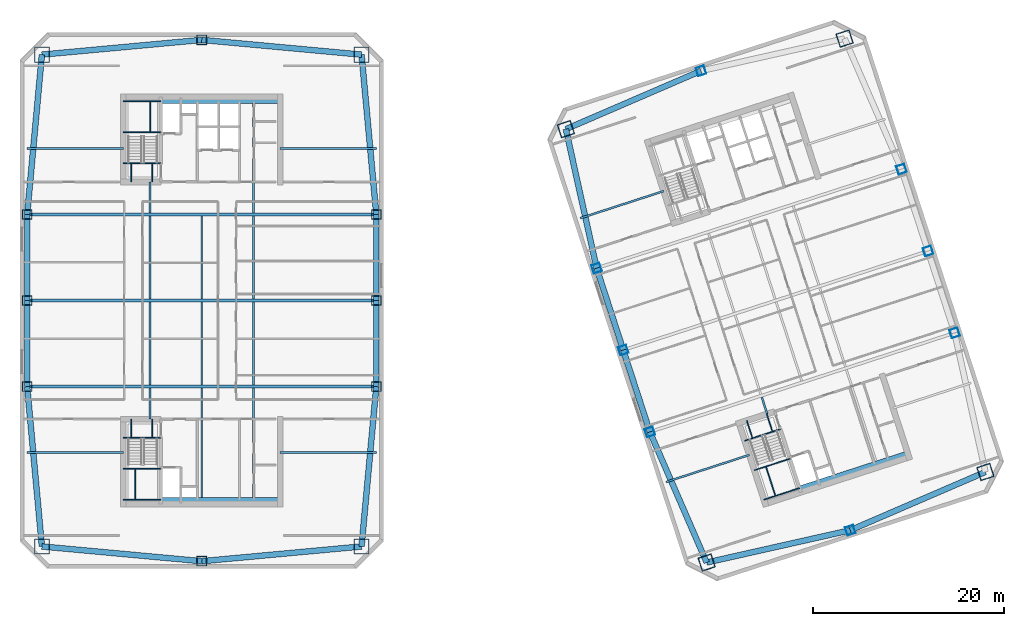
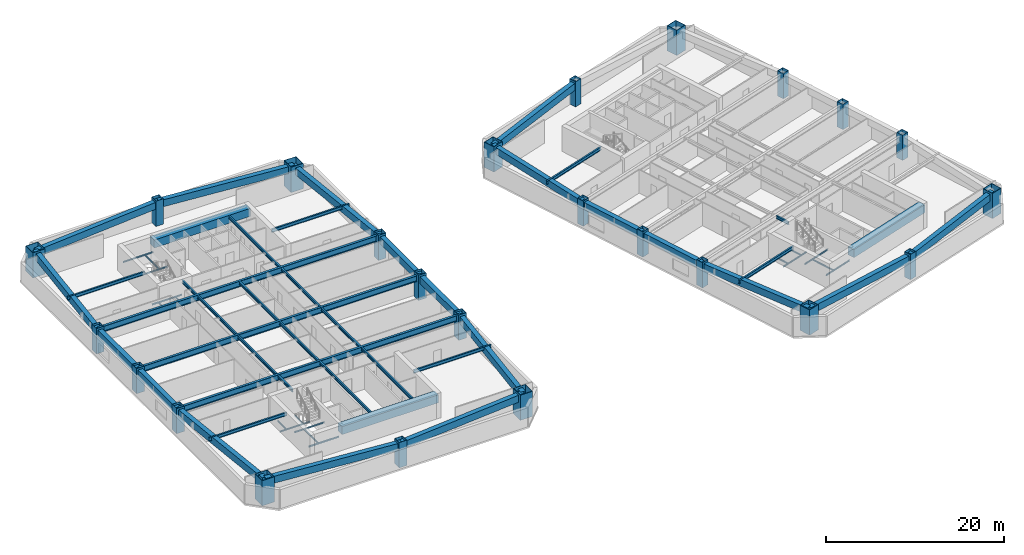
# One storey, part 1 of 11: 61 beams, 24 columns.
"""IFC4 building model written with IfcOpenShell, lengths in metres."""

from ifc_helpers import new_model, si_unit, direction, frame, origin, origin_2d, place, context, subcontext, project, spatial, rectangle, hollow_rectangle, i_section, extrude, material, material_profile, profile_set, type_object, element, save


model = new_model("IFC4")

# Units and contexts
model_context = context("Model", 3, precision=1e-05, world=origin(), true_north=direction((0.0, 1.0)))
body_context = subcontext(model_context, "Body", "Model", "MODEL_VIEW")
ifc_project = project(units=[si_unit("LENGTHUNIT", "METRE"), si_unit("AREAUNIT", "SQUARE_METRE"), si_unit("VOLUMEUNIT", "CUBIC_METRE"), si_unit("PLANEANGLEUNIT", "RADIAN"), si_unit("MASSUNIT", "GRAM", prefix="KILO")], contexts=[model_context])

# Site, building, storey
site_placement = place(None, origin())
site = spatial("IfcSite", under=ifc_project, at=site_placement, CompositionType="ELEMENT")
building_placement = place(site_placement, origin())
building = spatial("IfcBuilding", under=site, at=building_placement, Name="Qiaolan Cultural Towers", CompositionType="ELEMENT")
storey_placement = place(building_placement, frame((0.0, 0.0, 117.300048828125)))
storey = spatial("IfcBuildingStorey", under=building, at=storey_placement, Name="L30", CompositionType="ELEMENT", Elevation=117.300048828125)

# Columns
ifc_material_1 = material(Name="Steel Q355B", Category="steel")
ifc_material_profile_1 = material_profile(ifc_material_1, hollow_rectangle(XDim=1.0, YDim=1.0, WallThickness=0.035888671875, at=origin_2d()), Name="BOX1000x1000x36")
ifc_profile_set_1 = profile_set([ifc_material_profile_1], Name="Steel Q355B")
column_type_1 = type_object("IfcColumnType", Name="COL-BOX1000x1000x36", PredefinedType="COLUMN", material=ifc_profile_set_1)
for number, where, z_axis, x_axis, name in (
    (1, (11.75, 25.0, 0.0), (0.0, 0.0, 1.0), (1.0, 0.0, 0.0), "L30 T1 Perimeter Column PC-W1"),
    (2, (11.75, 34.0, 0.0), (0.0, 0.0, 1.0), (1.0, 0.0, 0.0), "L30 T1 Perimeter Column PC-W2"),
    (3, (11.75, 43.0, 0.0), (0.0, 0.0, 1.0), (1.0, 0.0, 0.0), "L30 T1 Perimeter Column PC-W3"),
    (4, (48.25, 25.0, 0.0), (0.0, 0.0, 1.0), (1.0, 0.0, 0.0), "L30 T1 Perimeter Column PC-E1"),
    (5, (48.25, 34.0, 0.0), (0.0, 0.0, 1.0), (1.0, 0.0, 0.0), "L30 T1 Perimeter Column PC-E2"),
    (6, (48.25, 43.0, 0.0), (0.0, 0.0, 1.0), (1.0, 0.0, 0.0), "L30 T1 Perimeter Column PC-E3"),
    (7, (30.0, 6.75, 0.0), (0.0, 0.0, 1.0), (1.0, 0.0, 0.0), "L30 T1 Perimeter Column PC-S0"),
    (8, (30.0, 61.25, 0.0), (0.0, 0.0, 1.0), (1.0, 0.0, 0.0), "L30 T1 Perimeter Column PC-N0"),
):
    element("IfcColumn", number, at=place(storey_placement, frame(where, z_axis=z_axis, x_axis=x_axis)), inside=storey, type_object=column_type_1, Name=name, PredefinedType="COLUMN", context=body_context, shape_type="SweptSolid", body=[
        extrude(hollow_rectangle(XDim=1.0, YDim=1.0, WallThickness=0.035888671875, at=origin_2d()), origin(), (0.0, 0.0, 1.0), 3.450927734375),
    ])
ifc_material_2 = material(Name="Steel Q420GJB", Category="steel")
ifc_material_profile_2 = material_profile(ifc_material_2, hollow_rectangle(XDim=1.449951171875, YDim=1.449951171875, WallThickness=0.050048828125, at=origin_2d()), Name="BOX1450x1450x50")
ifc_profile_set_2 = profile_set([ifc_material_profile_2], Name="Steel Q420GJB")
column_type_2 = type_object("IfcColumnType", Name="COL-BOX1450x1450x50", PredefinedType="COLUMN", material=ifc_profile_set_2)
for number, where, z_axis, x_axis, name in (
    (9, (82.79052734375, 6.611572265625, 0.0), (0.0, 0.0, 1.0), (0.951056516295, 0.309016994375, 0.0), "L30 T2 Perimeter Column MC-SW"),
    (10, (111.930908203125, 16.080078125, 0.0), (0.0, 0.0, 1.0), (0.951056516295, 0.309016994375, 0.0), "L30 T2 Perimeter Column MC-SE"),
    (11, (97.20947265625, 61.388427734375, 0.0), (0.0, 0.0, 1.0), (0.951056516295, 0.309016994375, 0.0), "L30 T2 Perimeter Column MC-NE"),
    (12, (68.069091796875, 51.919921875, 0.0), (0.0, 0.0, 1.0), (0.951056516295, 0.309016994375, 0.0), "L30 T2 Perimeter Column MC-NW"),
):
    element("IfcColumn", number, at=place(storey_placement, frame(where, z_axis=z_axis, x_axis=x_axis)), inside=storey, type_object=column_type_2, Name=name, PredefinedType="COLUMN", context=body_context, shape_type="SweptSolid", body=[
        extrude(hollow_rectangle(XDim=1.449951171875, YDim=1.449951171875, WallThickness=0.050048828125, at=origin_2d()), origin(), (0.0, 0.0, 1.0), 3.450927734375),
    ])
ifc_material_3 = material(Name="Steel Q420GJB", Category="steel")
ifc_material_profile_3 = material_profile(ifc_material_3, hollow_rectangle(XDim=1.60009765625, YDim=1.60009765625, WallThickness=0.054931640625, at=origin_2d()), Name="BOX1600x1600x55")
ifc_profile_set_3 = profile_set([ifc_material_profile_3], Name="Steel Q420GJB")
column_type_3 = type_object("IfcColumnType", Name="COL-BOX1600x1600x55", PredefinedType="COLUMN", material=ifc_profile_set_3)
for number, where, z_axis, x_axis, name in (
    (13, (13.2900390625, 8.2900390625, 0.0), (0.0, 0.0, 1.0), (1.0, 0.0, 0.0), "L30 T1 Perimeter Column MC-SW"),
    (14, (46.7099609375, 8.2900390625, 0.0), (0.0, 0.0, 1.0), (1.0, 0.0, 0.0), "L30 T1 Perimeter Column MC-SE"),
    (15, (46.7099609375, 59.7099609375, 0.0), (0.0, 0.0, 1.0), (1.0, 0.0, 0.0), "L30 T1 Perimeter Column MC-NE"),
    (16, (13.2900390625, 59.7099609375, 0.0), (0.0, 0.0, 1.0), (1.0, 0.0, 0.0), "L30 T1 Perimeter Column MC-NW"),
):
    element("IfcColumn", number, at=place(storey_placement, frame(where, z_axis=z_axis, x_axis=x_axis)), inside=storey, type_object=column_type_3, Name=name, PredefinedType="COLUMN", context=body_context, shape_type="SweptSolid", body=[
        extrude(hollow_rectangle(XDim=1.60009765625, YDim=1.60009765625, WallThickness=0.054931640625, at=origin_2d()), origin(), (0.0, 0.0, 1.0), 3.450927734375),
    ])
ifc_material_4 = material(Name="Steel Q355B", Category="steel")
ifc_material_profile_4 = material_profile(ifc_material_4, hollow_rectangle(XDim=0.89990234375, YDim=0.89990234375, WallThickness=0.031982421875, at=origin_2d()), Name="BOX900x900x32")
ifc_profile_set_4 = profile_set([ifc_material_profile_4], Name="Steel Q355B")
column_type_4 = type_object("IfcColumnType", Name="COL-BOX900x900x32", PredefinedType="COLUMN", material=ifc_profile_set_4)
for number, where, z_axis, x_axis, name in (
    (17, (76.85107421875, 20.264404296875, 0.0), (0.0, 0.0, 1.0), (0.951056516295, 0.309016994375, 0.0), "L30 T2 Perimeter Column PC-W1"),
    (18, (74.06982421875, 28.823974609375, 0.0), (0.0, 0.0, 1.0), (0.951056516295, 0.309016994375, 0.0), "L30 T2 Perimeter Column PC-W2"),
    (19, (71.28857421875, 37.383544921875, 0.0), (0.0, 0.0, 1.0), (0.951056516295, 0.309016994375, 0.0), "L30 T2 Perimeter Column PC-W3"),
    (20, (108.71142578125, 30.616455078125, 0.0), (0.0, 0.0, 1.0), (0.951056516295, 0.309016994375, 0.0), "L30 T2 Perimeter Column PC-E1"),
    (21, (105.93017578125, 39.176025390625, 0.0), (0.0, 0.0, 1.0), (0.951056516295, 0.309016994375, 0.0), "L30 T2 Perimeter Column PC-E2"),
    (22, (103.14892578125, 47.735595703125, 0.0), (0.0, 0.0, 1.0), (0.951056516295, 0.309016994375, 0.0), "L30 T2 Perimeter Column PC-E3"),
    (23, (97.802734375, 9.98583984375, 0.0), (0.0, 0.0, 1.0), (0.951056516295, 0.309016994375, 0.0), "L30 T2 Perimeter Column PC-S0"),
    (24, (82.197265625, 58.01416015625, 0.0), (0.0, 0.0, 1.0), (0.951056516295, 0.309016994375, 0.0), "L30 T2 Perimeter Column PC-N0"),
):
    element("IfcColumn", number, at=place(storey_placement, frame(where, z_axis=z_axis, x_axis=x_axis)), inside=storey, type_object=column_type_4, Name=name, PredefinedType="COLUMN", context=body_context, shape_type="SweptSolid", body=[
        extrude(hollow_rectangle(XDim=0.89990234375, YDim=0.89990234375, WallThickness=0.031982421875, at=origin_2d()), origin(), (0.0, 0.0, 1.0), 3.450927734375),
    ])

# Beams
ifc_material_5 = material(Name="Steel Q355B", Category="steel")
ifc_material_profile_5 = material_profile(ifc_material_5, i_section(OverallWidth=0.300048828125, OverallDepth=0.800048828125, WebThickness=0.013916015625, FlangeThickness=0.02587890625, at=origin_2d()), Name="HN800x300x14x26")
ifc_profile_set_5 = profile_set([ifc_material_profile_5], Name="Steel Q355B")
beam_type_1 = type_object("IfcBeamType", Name="BM-HN800x300x14x26", PredefinedType="BEAM", material=ifc_profile_set_5)
for number, where, z_axis, x_axis, name in (
    (25, (11.75, 25.0, 2.7900390625), (1.0, 0.0, 0.0), (0.0, 1.0, 0.0), "L30 T1 Primary Transverse Girder V1"),
    (26, (11.75, 34.0, 2.7900390625), (1.0, 0.0, 0.0), (0.0, 1.0, 0.0), "L30 T1 Primary Transverse Girder V2"),
    (27, (11.75, 43.0, 2.7900390625), (1.0, 0.0, 0.0), (0.0, 1.0, 0.0), "L30 T1 Primary Transverse Girder V3"),
):
    element("IfcBeam", number, at=place(storey_placement, frame(where, z_axis=z_axis, x_axis=x_axis)), inside=storey, type_object=beam_type_1, Name=name, PredefinedType="BEAM", context=body_context, shape_type="SweptSolid", body=[
        extrude(i_section(OverallWidth=0.300048828125, OverallDepth=0.800048828125, WebThickness=0.013916015625, FlangeThickness=0.02587890625, at=origin_2d()), origin(), (0.0, 0.0, 1.0), 36.5),
    ])
ifc_material_6 = material(Name="Steel Q355B", Category="steel")
ifc_material_profile_6 = material_profile(ifc_material_6, i_section(OverallWidth=0.199951171875, OverallDepth=0.39990234375, WebThickness=0.008056640625, FlangeThickness=0.012939453125, at=origin_2d()), Name="HN400x200x8x13")
ifc_profile_set_6 = profile_set([ifc_material_profile_6], Name="Steel Q355B")
beam_type_2 = type_object("IfcBeamType", Name="BM-JST-HN400x200x8x13", PredefinedType="JOIST", material=ifc_profile_set_6)
beam_1_placement = place(storey_placement, frame((24.60009765625, 21.60009765625, 2.989990234375), z_axis=(0.0, 1.0, 0.0), x_axis=(-1.0, 0.0, 0.0)))
element("IfcBeam", 28, at=beam_1_placement, inside=storey, type_object=beam_type_2, Name="L30 T1 Secondary Floor Joist U1-1", PredefinedType="JOIST", context=body_context, shape_type="SweptSolid", body=[
    extrude(i_section(OverallWidth=0.199951171875, OverallDepth=0.39990234375, WebThickness=0.008056640625, FlangeThickness=0.012939453125, at=origin_2d()), origin(), (0.0, 0.0, 1.0), 3.25),
])
for number, where, z_axis, x_axis, name in (
    (29, (24.60009765625, 25.14990234375, 2.989990234375), (0.0, 1.0, 0.0), (-1.0, 0.0, 0.0), "L30 T1 Secondary Floor Joist U1-2"),
    (30, (24.60009765625, 34.14990234375, 2.989990234375), (0.0, 1.0, 0.0), (-1.0, 0.0, 0.0), "L30 T1 Secondary Floor Joist U1-3"),
):
    element("IfcBeam", number, at=place(storey_placement, frame(where, z_axis=z_axis, x_axis=x_axis)), inside=storey, type_object=beam_type_2, Name=name, PredefinedType="JOIST", context=body_context, shape_type="SweptSolid", body=[
        extrude(i_section(OverallWidth=0.199951171875, OverallDepth=0.39990234375, WebThickness=0.008056640625, FlangeThickness=0.012939453125, at=origin_2d()), origin(), (0.0, 0.0, 1.0), 8.7001953125),
    ])
beam_2_placement = place(storey_placement, frame((24.60009765625, 43.14990234375, 2.989990234375), z_axis=(0.0, 1.0, 0.0), x_axis=(-1.0, 0.0, 0.0)))
element("IfcBeam", 31, at=beam_2_placement, inside=storey, type_object=beam_type_2, Name="L30 T1 Secondary Floor Joist U1-4", PredefinedType="JOIST", context=body_context, shape_type="SweptSolid", body=[
    extrude(i_section(OverallWidth=0.199951171875, OverallDepth=0.39990234375, WebThickness=0.008056640625, FlangeThickness=0.012939453125, at=origin_2d()), origin(), (0.0, 0.0, 1.0), 3.25),
])
beam_3_placement = place(storey_placement, frame((30.0, 13.39990234375, 2.989990234375), z_axis=(0.0, 1.0, 0.0), x_axis=(-1.0, 0.0, 0.0)))
element("IfcBeam", 32, at=beam_3_placement, inside=storey, type_object=beam_type_2, Name="L30 T1 Secondary Floor Joist U2-1", PredefinedType="JOIST", context=body_context, shape_type="SweptSolid", body=[
    extrude(i_section(OverallWidth=0.199951171875, OverallDepth=0.39990234375, WebThickness=0.008056640625, FlangeThickness=0.012939453125, at=origin_2d()), origin(), (0.0, 0.0, 1.0), 11.4501953125),
])
for number, where, z_axis, x_axis, name in (
    (33, (30.0, 25.14990234375, 2.989990234375), (0.0, 1.0, 0.0), (-1.0, 0.0, 0.0), "L30 T1 Secondary Floor Joist U2-2"),
    (34, (30.0, 34.14990234375, 2.989990234375), (0.0, 1.0, 0.0), (-1.0, 0.0, 0.0), "L30 T1 Secondary Floor Joist U2-3"),
):
    element("IfcBeam", number, at=place(storey_placement, frame(where, z_axis=z_axis, x_axis=x_axis)), inside=storey, type_object=beam_type_2, Name=name, PredefinedType="JOIST", context=body_context, shape_type="SweptSolid", body=[
        extrude(i_section(OverallWidth=0.199951171875, OverallDepth=0.39990234375, WebThickness=0.008056640625, FlangeThickness=0.012939453125, at=origin_2d()), origin(), (0.0, 0.0, 1.0), 8.7001953125),
    ])
beam_4_placement = place(storey_placement, frame((35.39990234375, 13.39990234375, 2.989990234375), z_axis=(0.0, 1.0, 0.0), x_axis=(-1.0, 0.0, 0.0)))
element("IfcBeam", 35, at=beam_4_placement, inside=storey, type_object=beam_type_2, Name="L30 T1 Secondary Floor Joist U3-1", PredefinedType="JOIST", context=body_context, shape_type="SweptSolid", body=[
    extrude(i_section(OverallWidth=0.199951171875, OverallDepth=0.39990234375, WebThickness=0.008056640625, FlangeThickness=0.012939453125, at=origin_2d()), origin(), (0.0, 0.0, 1.0), 11.4501953125),
])
for number, where, z_axis, x_axis, name in (
    (36, (35.39990234375, 25.14990234375, 2.989990234375), (0.0, 1.0, 0.0), (-1.0, 0.0, 0.0), "L30 T1 Secondary Floor Joist U3-2"),
    (37, (35.39990234375, 34.14990234375, 2.989990234375), (0.0, 1.0, 0.0), (-1.0, 0.0, 0.0), "L30 T1 Secondary Floor Joist U3-3"),
):
    element("IfcBeam", number, at=place(storey_placement, frame(where, z_axis=z_axis, x_axis=x_axis)), inside=storey, type_object=beam_type_2, Name=name, PredefinedType="JOIST", context=body_context, shape_type="SweptSolid", body=[
        extrude(i_section(OverallWidth=0.199951171875, OverallDepth=0.39990234375, WebThickness=0.008056640625, FlangeThickness=0.012939453125, at=origin_2d()), origin(), (0.0, 0.0, 1.0), 8.7001953125),
    ])
beam_5_placement = place(storey_placement, frame((35.39990234375, 43.14990234375, 2.989990234375), z_axis=(0.0, 1.0, 0.0), x_axis=(-1.0, 0.0, 0.0)))
element("IfcBeam", 38, at=beam_5_placement, inside=storey, type_object=beam_type_2, Name="L30 T1 Secondary Floor Joist U3-4", PredefinedType="JOIST", context=body_context, shape_type="SweptSolid", body=[
    extrude(i_section(OverallWidth=0.199951171875, OverallDepth=0.39990234375, WebThickness=0.008056640625, FlangeThickness=0.012939453125, at=origin_2d()), origin(), (0.0, 0.0, 1.0), 11.4501953125),
])
beam_6_placement = place(storey_placement, frame((89.119384765625, 22.147705078125, 2.989990234375), z_axis=(-0.308933885266, 0.951083516067, 0.0), x_axis=(-0.951083516067, -0.308933885266, 0.0)))
element("IfcBeam", 39, at=beam_6_placement, inside=storey, type_object=beam_type_2, Name="L30 T2 Secondary Floor Joist U1-1", PredefinedType="JOIST", context=body_context, shape_type="SweptSolid", body=[
    extrude(i_section(OverallWidth=0.199951171875, OverallDepth=0.39990234375, WebThickness=0.008056640625, FlangeThickness=0.012939453125, at=origin_2d()), origin(), (0.0, 0.0, 1.0), 1.85009765625),
])
ifc_material_7 = material(Name="Steel Q355B", Category="steel")
ifc_material_profile_7 = material_profile(ifc_material_7, i_section(OverallWidth=0.199951171875, OverallDepth=0.449951171875, WebThickness=0.009033203125, FlangeThickness=0.013916015625, at=origin_2d()), Name="HN450x200x9x14")
ifc_profile_set_7 = profile_set([ifc_material_profile_7], Name="Steel Q355B")
beam_type_3 = type_object("IfcBeamType", Name="BM-LNT-HN450x200x9x14", PredefinedType="LINTEL", material=ifc_profile_set_7)
for number, where, z_axis, x_axis, name in (
    (40, (21.800048828125, 18.10009765625, 2.96484375), (-1.0, 0.0, 0.0), (0.0, -1.0, 0.0), "L30 T1 Core Flank Tie Lintel WS"),
    (41, (21.800048828125, 49.89990234375, 2.96484375), (-1.0, 0.0, 0.0), (0.0, -1.0, 0.0), "L30 T1 Core Flank Tie Lintel WN"),
    (42, (38.199951171875, 18.10009765625, 2.96484375), (1.0, 0.0, 0.0), (0.0, 1.0, 0.0), "L30 T1 Core Flank Tie Lintel ES"),
    (43, (38.199951171875, 49.89990234375, 2.96484375), (1.0, 0.0, 0.0), (0.0, 1.0, 0.0), "L30 T1 Core Flank Tie Lintel EN"),
):
    element("IfcBeam", number, at=place(storey_placement, frame(where, z_axis=z_axis, x_axis=x_axis)), inside=storey, type_object=beam_type_3, Name=name, PredefinedType="LINTEL", context=body_context, shape_type="SweptSolid", body=[
        extrude(i_section(OverallWidth=0.199951171875, OverallDepth=0.449951171875, WebThickness=0.009033203125, FlangeThickness=0.013916015625, at=origin_2d()), origin(), (0.0, 0.0, 1.0), 10.050048828125),
    ])
for number, where, z_axis, x_axis, name in (
    (44, (87.252685546875, 17.861083984375, 2.96484375), (-0.951059948176, -0.309006431933, 0.0), (0.309006431933, -0.951059948176, 0.0), "L30 T2 Core Flank Tie Lintel WS"),
    (45, (78.291259765625, 45.44189453125, 2.96484375), (-0.951052106475, -0.309030566076, 0.0), (0.309030566076, -0.951052106475, 0.0), "L30 T2 Core Flank Tie Lintel WN"),
):
    element("IfcBeam", number, at=place(storey_placement, frame(where, z_axis=z_axis, x_axis=x_axis)), inside=storey, type_object=beam_type_3, Name=name, PredefinedType="LINTEL", context=body_context, shape_type="SweptSolid", body=[
        extrude(i_section(OverallWidth=0.199951171875, OverallDepth=0.449951171875, WebThickness=0.009033203125, FlangeThickness=0.013916015625, at=origin_2d()), origin(), (0.0, 0.0, 1.0), 9.14990234375),
    ])
ifc_material_8 = material(Name="Concrete C50", Category="concrete")
ifc_material_profile_8 = material_profile(ifc_material_8, rectangle(XDim=0.89990234375, YDim=1.10009765625, at=origin_2d()), Name="RC900x1100")
ifc_profile_set_8 = profile_set([ifc_material_profile_8], Name="Concrete C50")
beam_type_4 = type_object("IfcBeamType", Name="BM-RC900x1100", PredefinedType="BEAM", material=ifc_profile_set_8)
for number, where, z_axis, x_axis, name in (
    (46, (25.719970703125, 12.949951171875, 2.639892578125), (1.0, 0.0, 0.0), (0.0, 1.0, 0.0), "L30 T1 Core Header Girder S"),
    (47, (25.719970703125, 55.050048828125, 2.639892578125), (1.0, 0.0, 0.0), (0.0, 1.0, 0.0), "L30 T1 Core Header Girder N"),
):
    element("IfcBeam", number, at=place(storey_placement, frame(where, z_axis=z_axis, x_axis=x_axis)), inside=storey, type_object=beam_type_4, Name=name, PredefinedType="BEAM", context=body_context, shape_type="SweptSolid", body=[
        extrude(rectangle(XDim=0.89990234375, YDim=1.10009765625, at=origin_2d()), origin(), (0.0, 0.0, 1.0), 12.47998046875),
    ])
beam_7_placement = place(storey_placement, frame((92.572265625, 14.174560546875, 2.639892578125), z_axis=(0.951056266386, 0.309017763514, 0.0), x_axis=(-0.309017763514, 0.951056266386, 0.0)))
element("IfcBeam", 48, at=beam_7_placement, inside=storey, type_object=beam_type_4, Name="L30 T2 Core Header Girder S", PredefinedType="BEAM", context=body_context, shape_type="SweptSolid", body=[
    extrude(rectangle(XDim=0.89990234375, YDim=1.10009765625, at=origin_2d()), origin(), (0.0, 0.0, 1.0), 11.880126953125),
])
ifc_material_9 = material(Name="Concrete C50", Category="concrete")
ifc_material_profile_9 = material_profile(ifc_material_9, rectangle(XDim=0.60009765625, YDim=0.949951171875, at=origin_2d()), Name="RC600x950")
ifc_profile_set_9 = profile_set([ifc_material_profile_9], Name="Concrete C50")
beam_type_5 = type_object("IfcBeamType", Name="BM-SPD-RC600x950", PredefinedType="SPANDREL", material=ifc_profile_set_9)
for number, where, z_axis, x_axis, name in (
    (49, (13.2900390625, 8.2900390625, 2.71484375), (0.995779862064, -0.09177399582, 0.0), (0.09177399582, 0.995779862064, 0.0), "L30 T1 Perimeter Spandrel Beam 1"),
    (50, (30.0, 6.75, 2.71484375), (0.995779862064, 0.09177399582, 0.0), (-0.09177399582, 0.995779862064, 0.0), "L30 T1 Perimeter Spandrel Beam 2"),
    (51, (46.7099609375, 8.2900390625, 2.71484375), (0.09177399582, 0.995779862064, 0.0), (-0.995779862064, 0.09177399582, 0.0), "L30 T1 Perimeter Spandrel Beam 3"),
):
    element("IfcBeam", number, at=place(storey_placement, frame(where, z_axis=z_axis, x_axis=x_axis)), inside=storey, type_object=beam_type_5, Name=name, PredefinedType="SPANDREL", context=body_context, shape_type="SweptSolid", body=[
        extrude(rectangle(XDim=0.60009765625, YDim=0.949951171875, at=origin_2d()), origin(), (0.0, 0.0, 1.0), 16.78076171875),
    ])
for number, where, z_axis, x_axis, name in (
    (52, (48.25, 25.0, 2.71484375), (0.0, 1.0, 0.0), (-1.0, 0.0, 0.0), "L30 T1 Perimeter Spandrel Beam 4"),
    (53, (48.25, 34.0, 2.71484375), (0.0, 1.0, 0.0), (-1.0, 0.0, 0.0), "L30 T1 Perimeter Spandrel Beam 5"),
):
    element("IfcBeam", number, at=place(storey_placement, frame(where, z_axis=z_axis, x_axis=x_axis)), inside=storey, type_object=beam_type_5, Name=name, PredefinedType="SPANDREL", context=body_context, shape_type="SweptSolid", body=[
        extrude(rectangle(XDim=0.60009765625, YDim=0.949951171875, at=origin_2d()), origin(), (0.0, 0.0, 1.0), 9.0),
    ])
for number, where, z_axis, x_axis, name in (
    (54, (48.25, 43.0, 2.71484375), (-0.09177399582, 0.995779862064, 0.0), (-0.995779862064, -0.09177399582, 0.0), "L30 T1 Perimeter Spandrel Beam 6"),
    (55, (46.7099609375, 59.7099609375, 2.71484375), (-0.995779862064, 0.09177399582, 0.0), (-0.09177399582, -0.995779862064, 0.0), "L30 T1 Perimeter Spandrel Beam 7"),
    (56, (30.0, 61.25, 2.71484375), (-0.995779862064, -0.09177399582, 0.0), (0.09177399582, -0.995779862064, 0.0), "L30 T1 Perimeter Spandrel Beam 8"),
    (57, (13.2900390625, 59.7099609375, 2.71484375), (-0.09177399582, -0.995779862064, 0.0), (0.995779862064, -0.09177399582, 0.0), "L30 T1 Perimeter Spandrel Beam 9"),
):
    element("IfcBeam", number, at=place(storey_placement, frame(where, z_axis=z_axis, x_axis=x_axis)), inside=storey, type_object=beam_type_5, Name=name, PredefinedType="SPANDREL", context=body_context, shape_type="SweptSolid", body=[
        extrude(rectangle(XDim=0.60009765625, YDim=0.949951171875, at=origin_2d()), origin(), (0.0, 0.0, 1.0), 16.78076171875),
    ])
for number, where, z_axis, x_axis, name in (
    (58, (11.75, 43.0, 2.71484375), (0.0, -1.0, 0.0), (1.0, 0.0, 0.0), "L30 T1 Perimeter Spandrel Beam 10"),
    (59, (11.75, 34.0, 2.71484375), (0.0, -1.0, 0.0), (1.0, 0.0, 0.0), "L30 T1 Perimeter Spandrel Beam 11"),
):
    element("IfcBeam", number, at=place(storey_placement, frame(where, z_axis=z_axis, x_axis=x_axis)), inside=storey, type_object=beam_type_5, Name=name, PredefinedType="SPANDREL", context=body_context, shape_type="SweptSolid", body=[
        extrude(rectangle(XDim=0.60009765625, YDim=0.949951171875, at=origin_2d()), origin(), (0.0, 0.0, 1.0), 9.0),
    ])
beam_8_placement = place(storey_placement, frame((11.75, 25.0, 2.71484375), z_axis=(0.09177399582, -0.995779862064, 0.0), x_axis=(0.995779862064, 0.09177399582, 0.0)))
element("IfcBeam", 60, at=beam_8_placement, inside=storey, type_object=beam_type_5, Name="L30 T1 Perimeter Spandrel Beam 12", PredefinedType="SPANDREL", context=body_context, shape_type="SweptSolid", body=[
    extrude(rectangle(XDim=0.60009765625, YDim=0.949951171875, at=origin_2d()), origin(), (0.0, 0.0, 1.0), 16.78076171875),
])
beam_9_placement = place(storey_placement, frame((82.79052734375, 6.611572265625, 2.71484375), z_axis=(0.975658154374, 0.219296980836, 0.0), x_axis=(-0.219296980836, 0.975658154374, 0.0)))
element("IfcBeam", 61, at=beam_9_placement, inside=storey, type_object=beam_type_5, Name="L30 T2 Perimeter Spandrel Beam 1", PredefinedType="SPANDREL", context=body_context, shape_type="SweptSolid", body=[
    extrude(rectangle(XDim=0.60009765625, YDim=0.949951171875, at=origin_2d()), origin(), (0.0, 0.0, 1.0), 15.38671875),
])
for number, where, z_axis, x_axis, name in (
    (62, (97.802734375, 9.98583984375, 2.71484375), (0.918217549337, 0.396076422032, 0.0), (-0.396076422032, 0.918217549337, 0.0), "L30 T2 Perimeter Spandrel Beam 2"),
    (63, (82.197265625, 58.01416015625, 2.71484375), (-0.918217549337, -0.396076422032, 0.0), (0.396076422032, -0.918217549337, 0.0), "L30 T2 Perimeter Spandrel Beam 8"),
):
    element("IfcBeam", number, at=place(storey_placement, frame(where, z_axis=z_axis, x_axis=x_axis)), inside=storey, type_object=beam_type_5, Name=name, PredefinedType="SPANDREL", context=body_context, shape_type="SweptSolid", body=[
        extrude(rectangle(XDim=0.60009765625, YDim=0.949951171875, at=origin_2d()), origin(), (0.0, 0.0, 1.0), 15.386474609375),
    ])
beam_10_placement = place(storey_placement, frame((68.069091796875, 51.919921875, 2.71484375), z_axis=(0.216237644833, -0.976340760676, 0.0), x_axis=(0.976340760676, 0.216237644833, 0.0)))
element("IfcBeam", 64, at=beam_10_placement, inside=storey, type_object=beam_type_5, Name="L30 T2 Perimeter Spandrel Beam 9", PredefinedType="SPANDREL", context=body_context, shape_type="SweptSolid", body=[
    extrude(rectangle(XDim=0.60009765625, YDim=0.949951171875, at=origin_2d()), origin(), (0.0, 0.0, 1.0), 14.888671875),
])
for number, where, z_axis, x_axis, name in (
    (65, (71.28857421875, 37.383544921875, 2.71484375), (0.309024734286, -0.951054001411, 0.0), (0.951054001411, 0.309024734286, 0.0), "L30 T2 Perimeter Spandrel Beam 10"),
    (66, (74.06982421875, 28.823974609375, 2.71484375), (0.309024734286, -0.951054001411, 0.0), (0.951054001411, 0.309024734286, 0.0), "L30 T2 Perimeter Spandrel Beam 11"),
):
    element("IfcBeam", number, at=place(storey_placement, frame(where, z_axis=z_axis, x_axis=x_axis)), inside=storey, type_object=beam_type_5, Name=name, PredefinedType="SPANDREL", context=body_context, shape_type="SweptSolid", body=[
        extrude(rectangle(XDim=0.60009765625, YDim=0.949951171875, at=origin_2d()), origin(), (0.0, 0.0, 1.0), 9.0),
    ])
beam_11_placement = place(storey_placement, frame((76.85107421875, 20.264404296875, 2.71484375), z_axis=(0.398920370799, -0.916985571185, 0.0), x_axis=(0.916985571185, 0.398920370799, 0.0)))
element("IfcBeam", 67, at=beam_11_placement, inside=storey, type_object=beam_type_5, Name="L30 T2 Perimeter Spandrel Beam 12", PredefinedType="SPANDREL", context=body_context, shape_type="SweptSolid", body=[
    extrude(rectangle(XDim=0.60009765625, YDim=0.949951171875, at=origin_2d()), origin(), (0.0, 0.0, 1.0), 14.888916015625),
])
ifc_material_10 = material(Name="Steel Q355B", Category="steel")
ifc_material_profile_10 = material_profile(ifc_material_10, i_section(OverallWidth=0.10009765625, OverallDepth=0.199951171875, WebThickness=0.005615234375, FlangeThickness=0.008056640625, at=origin_2d()), Name="HN200x100x5.5x8")
ifc_profile_set_10 = profile_set([ifc_material_profile_10], Name="Steel Q355B")
beam_type_6 = type_object("IfcBeamType", Name="BM-STTRIM-200", PredefinedType="BEAM", material=ifc_profile_set_10)
beam_12_placement = place(storey_placement, frame((21.800048828125, 19.659912109375, -0.4599609375), z_axis=(1.0, 0.0, 0.0), x_axis=(0.0, 1.0, 0.0)))
element("IfcBeam", 68, at=beam_12_placement, inside=storey, type_object=beam_type_6, Name="L30 ST-W1 Floor Landing Header Beam", PredefinedType="BEAM", context=body_context, shape_type="SweptSolid", body=[
    extrude(i_section(OverallWidth=0.10009765625, OverallDepth=0.199951171875, WebThickness=0.005615234375, FlangeThickness=0.008056640625, at=origin_2d()), origin(), (0.0, 0.0, 1.0), 3.919921875),
])
for number, where, z_axis, x_axis, name in (
    (69, (22.64990234375, 21.60009765625, -0.4599609375), (0.0, -1.0, 0.0), (1.0, 0.0, 0.0), "L30 ST-W1 Floor Landing Stringer 1"),
    (70, (24.85009765625, 21.60009765625, -0.4599609375), (0.0, -1.0, 0.0), (1.0, 0.0, 0.0), "L30 ST-W1 Floor Landing Stringer 2"),
):
    element("IfcBeam", number, at=place(storey_placement, frame(where, z_axis=z_axis, x_axis=x_axis)), inside=storey, type_object=beam_type_6, Name=name, PredefinedType="BEAM", context=body_context, shape_type="SweptSolid", body=[
        extrude(i_section(OverallWidth=0.10009765625, OverallDepth=0.199951171875, WebThickness=0.005615234375, FlangeThickness=0.008056640625, at=origin_2d()), origin(), (0.0, 0.0, 1.0), 1.940185546875),
    ])
for number, where, z_axis, x_axis, name in (
    (71, (21.800048828125, 16.411376953125, 1.425048828125), (1.0, 0.0, 0.0), (0.0, 1.0, 0.0), "L30 ST-W1 Stair Landing Support Beam 1-1"),
    (72, (21.800048828125, 13.179931640625, 1.425048828125), (1.0, 0.0, 0.0), (0.0, 1.0, 0.0), "L30 ST-W1 Stair Landing Support Beam 1-2"),
):
    element("IfcBeam", number, at=place(storey_placement, frame(where, z_axis=z_axis, x_axis=x_axis)), inside=storey, type_object=beam_type_6, Name=name, PredefinedType="BEAM", context=body_context, shape_type="SweptSolid", body=[
        extrude(i_section(OverallWidth=0.10009765625, OverallDepth=0.199951171875, WebThickness=0.005615234375, FlangeThickness=0.008056640625, at=origin_2d()), origin(), (0.0, 0.0, 1.0), 3.919921875),
    ])
beam_13_placement = place(storey_placement, frame((23.070068359375, 16.411376953125, 1.425048828125), z_axis=(0.0, -1.0, 0.0), x_axis=(1.0, 0.0, 0.0)))
element("IfcBeam", 73, at=beam_13_placement, inside=storey, type_object=beam_type_6, Name="L30 ST-W1 Stair Landing Trimmer 1", PredefinedType="BEAM", context=body_context, shape_type="SweptSolid", body=[
    extrude(i_section(OverallWidth=0.10009765625, OverallDepth=0.199951171875, WebThickness=0.005615234375, FlangeThickness=0.008056640625, at=origin_2d()), origin(), (0.0, 0.0, 1.0), 3.2314453125),
])
beam_14_placement = place(storey_placement, frame((21.800048828125, 48.340087890625, -0.4599609375), z_axis=(1.0, 0.0, 0.0), x_axis=(0.0, 1.0, 0.0)))
element("IfcBeam", 74, at=beam_14_placement, inside=storey, type_object=beam_type_6, Name="L30 ST-W2 Floor Landing Header Beam", PredefinedType="BEAM", context=body_context, shape_type="SweptSolid", body=[
    extrude(i_section(OverallWidth=0.10009765625, OverallDepth=0.199951171875, WebThickness=0.005615234375, FlangeThickness=0.008056640625, at=origin_2d()), origin(), (0.0, 0.0, 1.0), 3.919921875),
])
for number, where, z_axis, x_axis, name in (
    (75, (22.64990234375, 46.39990234375, -0.4599609375), (0.0, 1.0, 0.0), (-1.0, 0.0, 0.0), "L30 ST-W2 Floor Landing Stringer 1"),
    (76, (24.85009765625, 46.39990234375, -0.4599609375), (0.0, 1.0, 0.0), (-1.0, 0.0, 0.0), "L30 ST-W2 Floor Landing Stringer 2"),
):
    element("IfcBeam", number, at=place(storey_placement, frame(where, z_axis=z_axis, x_axis=x_axis)), inside=storey, type_object=beam_type_6, Name=name, PredefinedType="BEAM", context=body_context, shape_type="SweptSolid", body=[
        extrude(i_section(OverallWidth=0.10009765625, OverallDepth=0.199951171875, WebThickness=0.005615234375, FlangeThickness=0.008056640625, at=origin_2d()), origin(), (0.0, 0.0, 1.0), 1.940185546875),
    ])
for number, where, z_axis, x_axis, name in (
    (77, (21.800048828125, 51.588623046875, 1.425048828125), (1.0, 0.0, 0.0), (0.0, 1.0, 0.0), "L30 ST-W2 Stair Landing Support Beam 1-1"),
    (78, (21.800048828125, 54.820068359375, 1.425048828125), (1.0, 0.0, 0.0), (0.0, 1.0, 0.0), "L30 ST-W2 Stair Landing Support Beam 1-2"),
):
    element("IfcBeam", number, at=place(storey_placement, frame(where, z_axis=z_axis, x_axis=x_axis)), inside=storey, type_object=beam_type_6, Name=name, PredefinedType="BEAM", context=body_context, shape_type="SweptSolid", body=[
        extrude(i_section(OverallWidth=0.10009765625, OverallDepth=0.199951171875, WebThickness=0.005615234375, FlangeThickness=0.008056640625, at=origin_2d()), origin(), (0.0, 0.0, 1.0), 3.919921875),
    ])
beam_15_placement = place(storey_placement, frame((24.610107421875, 51.588623046875, 1.425048828125), z_axis=(0.0, 1.0, 0.0), x_axis=(-1.0, 0.0, 0.0)))
element("IfcBeam", 79, at=beam_15_placement, inside=storey, type_object=beam_type_6, Name="L30 ST-W2 Stair Landing Trimmer 1", PredefinedType="BEAM", context=body_context, shape_type="SweptSolid", body=[
    extrude(i_section(OverallWidth=0.10009765625, OverallDepth=0.199951171875, WebThickness=0.005615234375, FlangeThickness=0.008056640625, at=origin_2d()), origin(), (0.0, 0.0, 1.0), 3.2314453125),
])
beam_16_placement = place(storey_placement, frame((86.770751953125, 19.3447265625, -0.4599609375), z_axis=(0.951047798727, 0.309043823005, 0.0), x_axis=(-0.309043823005, 0.951047798727, 0.0)))
element("IfcBeam", 80, at=beam_16_placement, inside=storey, type_object=beam_type_6, Name="L30 ST-E1 Floor Landing Header Beam", PredefinedType="BEAM", context=body_context, shape_type="SweptSolid", body=[
    extrude(i_section(OverallWidth=0.10009765625, OverallDepth=0.199951171875, WebThickness=0.005615234375, FlangeThickness=0.008056640625, at=origin_2d()), origin(), (0.0, 0.0, 1.0), 3.919921875),
])
for number, where, z_axis, x_axis, name in (
    (81, (86.9794921875, 21.452392578125, -0.4599609375), (0.309083226701, -0.951034993558, 0.0), (0.951034993558, 0.309083226701, 0.0), "L30 ST-E1 Floor Landing Stringer 1"),
    (82, (89.07177734375, 22.13232421875, -0.4599609375), (0.309083226701, -0.951034993558, 0.0), (0.951034993558, 0.309083226701, 0.0), "L30 ST-E1 Floor Landing Stringer 2"),
):
    element("IfcBeam", number, at=place(storey_placement, frame(where, z_axis=z_axis, x_axis=x_axis)), inside=storey, type_object=beam_type_6, Name=name, PredefinedType="BEAM", context=body_context, shape_type="SweptSolid", body=[
        extrude(i_section(OverallWidth=0.10009765625, OverallDepth=0.199951171875, WebThickness=0.005615234375, FlangeThickness=0.008056640625, at=origin_2d()), origin(), (0.0, 0.0, 1.0), 1.93994140625),
    ])
for number, where, z_axis, x_axis, name in (
    (83, (87.774658203125, 16.255126953125, 1.425048828125), (0.951047798727, 0.309043823005, 0.0), (-0.309043823005, 0.951047798727, 0.0), "L30 ST-E1 Stair Landing Support Beam 1-1"),
    (84, (88.773193359375, 13.181884765625, 1.425048828125), (0.951047798727, 0.309043823005, 0.0), (-0.309043823005, 0.951047798727, 0.0), "L30 ST-E1 Stair Landing Support Beam 1-2"),
):
    element("IfcBeam", number, at=place(storey_placement, frame(where, z_axis=z_axis, x_axis=x_axis)), inside=storey, type_object=beam_type_6, Name=name, PredefinedType="BEAM", context=body_context, shape_type="SweptSolid", body=[
        extrude(i_section(OverallWidth=0.10009765625, OverallDepth=0.199951171875, WebThickness=0.005615234375, FlangeThickness=0.008056640625, at=origin_2d()), origin(), (0.0, 0.0, 1.0), 3.919921875),
    ])
beam_17_placement = place(storey_placement, frame((88.982421875, 16.6474609375, 1.425048828125), z_axis=(0.309033108495, -0.951051280349, 0.0), x_axis=(0.951051280349, 0.309033108495, 0.0)))
element("IfcBeam", 85, at=beam_17_placement, inside=storey, type_object=beam_type_6, Name="L30 ST-E1 Stair Landing Trimmer 1", PredefinedType="BEAM", context=body_context, shape_type="SweptSolid", body=[
    extrude(i_section(OverallWidth=0.10009765625, OverallDepth=0.199951171875, WebThickness=0.005615234375, FlangeThickness=0.008056640625, at=origin_2d()), origin(), (0.0, 0.0, 1.0), 3.231201171875),
])

save(model, "model.ifc")
